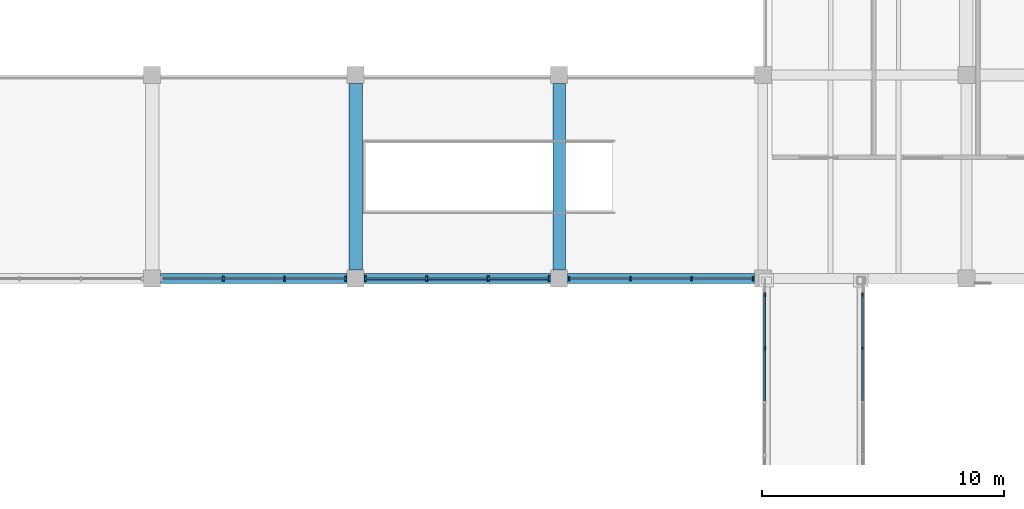
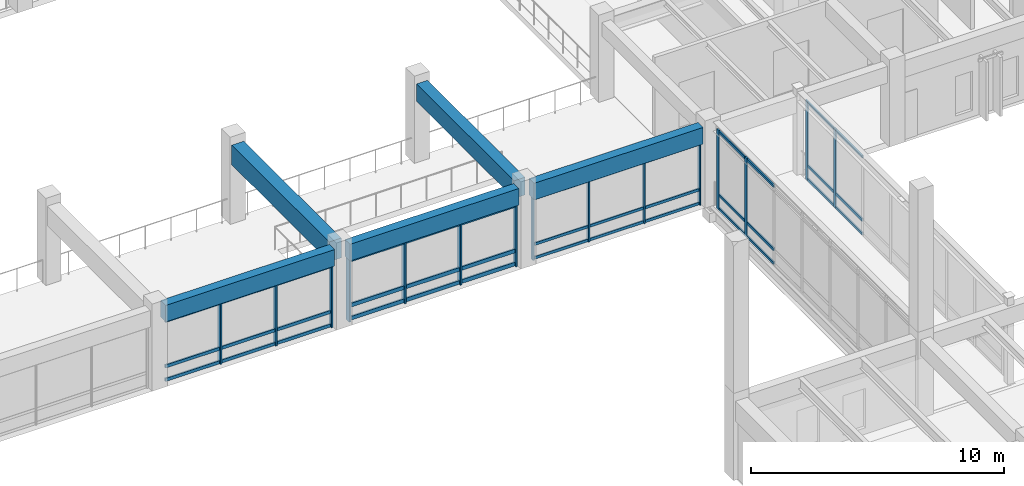
# One storey, part 58 of 132: 54 members, 5 beams, 5 elements without a shape of their own.
"""IFC4 building model written with IfcOpenShell, lengths in metres."""

from ifc_helpers import new_model, si_unit, direction, frame, origin, origin_2d, place, context, subcontext, project, spatial, rectangle, extrude, material, material_profile, profile_set, type_object, element, aggregate, save


model = new_model("IFC4")

# Units and contexts
model_context = context("Model", 3, precision=1e-05, world=origin(), true_north=direction((0.0, 1.0)))
body_context = subcontext(model_context, "Body", "Model", "MODEL_VIEW")
ifc_project = project(units=[si_unit("LENGTHUNIT", "METRE"), si_unit("AREAUNIT", "SQUARE_METRE"), si_unit("VOLUMEUNIT", "CUBIC_METRE"), si_unit("PLANEANGLEUNIT", "RADIAN"), si_unit("MASSUNIT", "GRAM", prefix="KILO")], contexts=[model_context])

# Site, building, storey
site_placement = place(None, origin())
site = spatial("IfcSite", under=ifc_project, at=site_placement, CompositionType="ELEMENT")
building_placement = place(site_placement, origin())
building = spatial("IfcBuilding", under=site, at=building_placement, Name="Cumbredor Promenade Congress Hotel", CompositionType="ELEMENT")
storey_placement = place(building_placement, frame((0.0, 0.0, 7.56005859375)))
storey = spatial("IfcBuildingStorey", under=building, at=storey_placement, Name="L02", CompositionType="ELEMENT", Elevation=7.56005859375)

# Beams
ifc_material_1 = material(Name="Concrete C40/50", Category="concrete")
ifc_material_profile_1 = material_profile(ifc_material_1, rectangle(XDim=0.5, YDim=0.85009765625, at=origin_2d()), Name="RC BEAM 500x850")
ifc_profile_set_1 = profile_set([ifc_material_profile_1], Name="Concrete C40/50")
beam_type_1 = type_object("IfcBeamType", Name="BM-RC-500x850", PredefinedType="BEAM", material=ifc_profile_set_1)
beam_1_placement = place(storey_placement, frame((142.800048828125, 84.35009765625, 3.375), z_axis=(0.0, 1.0, 0.0), x_axis=(-1.0, 0.0, 0.0)))
element("IfcBeam", 1, at=beam_1_placement, inside=storey, type_object=beam_type_1, Name="L03 Y-Grid Beam 198", PredefinedType="BEAM", context=body_context, shape_type="SweptSolid", body=[
    extrude(rectangle(XDim=0.5, YDim=0.85009765625, at=origin_2d()), origin(), (0.0, 0.0, 1.0), 7.699951171875),
])
ifc_material_profile_2 = material_profile(ifc_material_1, rectangle(XDim=0.550048828125, YDim=0.949951171875, at=origin_2d()), Name="RC BEAM 550x950")
ifc_profile_set_2 = profile_set([ifc_material_profile_2], Name="Concrete C40/50")
beam_type_2 = type_object("IfcBeamType", Name="BM-RC-550x950", PredefinedType="BEAM", material=ifc_profile_set_2)
beam_2_placement = place(storey_placement, frame((134.39990234375, 84.35009765625, 3.324951171875), z_axis=(0.0, 1.0, 0.0), x_axis=(-1.0, 0.0, 0.0)))
element("IfcBeam", 2, at=beam_2_placement, inside=storey, type_object=beam_type_2, Name="L03 Y-Grid Beam 183", PredefinedType="BEAM", context=body_context, shape_type="SweptSolid", body=[
    extrude(rectangle(XDim=0.550048828125, YDim=0.949951171875, at=origin_2d()), origin(), (0.0, 0.0, 1.0), 7.699951171875),
])

# Curtain wall, members
ifc_material_2 = material(Name="Thermally broken anodized aluminium and low-E glass", Category="aluminium")
curtain_wall_type_1 = type_object("IfcCurtainWallType", Name="Unitised Forum Curtain Wall CW-02", PredefinedType="NOTDEFINED", material=ifc_material_2)
curtain_wall_1_placement = place(storey_placement, origin())
curtain_wall_1 = element("IfcCurtainWall", 3, at=curtain_wall_1_placement, inside=storey, type_object=curtain_wall_type_1, Name="L02 Pre-Function and Breakout Meeting Forum South Curtain Wall 7", PredefinedType="NOTDEFINED")
ifc_material_3 = material(Name="Thermally broken anodized aluminium", Category="aluminium")
ifc_material_profile_3 = material_profile(ifc_material_3, rectangle(XDim=0.06494140625, YDim=0.159912109375, at=origin_2d()), Name="ALU MULLION 65x160")
ifc_profile_set_3 = profile_set([ifc_material_profile_3], Name="Thermally broken anodized aluminium")
member_type_1 = type_object("IfcMemberType", Name="Curtain Wall Mullion ML-01", PredefinedType="MULLION", material=ifc_profile_set_3)
member_1_placement = place(storey_placement, frame((143.205078125, 84.0, -0.008056640625), z_axis=(0.0, 0.0, 1.0), x_axis=(1.0, 0.0, 0.0)))
member_1 = element("IfcMember", 4, at=member_1_placement, type_object=member_type_1, Name="L02 Pre-Function and Breakout Meeting Forum South Curtain Wall 7 Mullion 1", PredefinedType="MULLION", context=body_context, shape_type="SweptSolid", body=[
    extrude(rectangle(XDim=0.06494140625, YDim=0.159912109375, at=origin_2d()), origin(), (0.0, 0.0, 1.0), 3.0009765625),
])
member_2_placement = place(storey_placement, frame((145.735107421875, 84.0, -0.008056640625), z_axis=(0.0, 0.0, 1.0), x_axis=(1.0, 0.0, 0.0)))
member_2 = element("IfcMember", 5, at=member_2_placement, type_object=member_type_1, Name="L02 Pre-Function and Breakout Meeting Forum South Curtain Wall 7 Mullion 2", PredefinedType="MULLION", context=body_context, shape_type="SweptSolid", body=[
    extrude(rectangle(XDim=0.06494140625, YDim=0.159912109375, at=origin_2d()), origin(), (0.0, 0.0, 1.0), 3.0009765625),
])
member_3_placement = place(storey_placement, frame((148.264892578125, 84.0, -0.008056640625), z_axis=(0.0, 0.0, 1.0), x_axis=(1.0, 0.0, 0.0)))
member_3 = element("IfcMember", 6, at=member_3_placement, type_object=member_type_1, Name="L02 Pre-Function and Breakout Meeting Forum South Curtain Wall 7 Mullion 3", PredefinedType="MULLION", context=body_context, shape_type="SweptSolid", body=[
    extrude(rectangle(XDim=0.06494140625, YDim=0.159912109375, at=origin_2d()), origin(), (0.0, 0.0, 1.0), 3.0009765625),
])
member_4_placement = place(storey_placement, frame((150.794921875, 84.0, -0.008056640625), z_axis=(0.0, 0.0, 1.0), x_axis=(1.0, 0.0, 0.0)))
member_4 = element("IfcMember", 7, at=member_4_placement, type_object=member_type_1, Name="L02 Pre-Function and Breakout Meeting Forum South Curtain Wall 7 Mullion 4", PredefinedType="MULLION", context=body_context, shape_type="SweptSolid", body=[
    extrude(rectangle(XDim=0.06494140625, YDim=0.159912109375, at=origin_2d()), origin(), (0.0, 0.0, 1.0), 3.0009765625),
])

curtain_wall_type_2 = type_object("IfcCurtainWallType", Name="Unitised Bridge Glazing Screen CW-05", PredefinedType="NOTDEFINED", material=ifc_material_2)
curtain_wall_2_placement = place(storey_placement, origin())
curtain_wall_2 = element("IfcCurtainWall", 8, at=curtain_wall_2_placement, inside=storey, type_object=curtain_wall_type_2, Name="L02 East Ballroom-to-Forum Glazed Bridge West Glazing Screen", PredefinedType="NOTDEFINED")
member_5_placement = place(storey_placement, frame((151.280029296875, 81.128662109375, -0.008056640625), z_axis=(0.0, 0.0, 1.0), x_axis=(1.0, 0.0, 0.0)))
member_5 = element("IfcMember", 9, at=member_5_placement, type_object=member_type_1, Name="L02 East Ballroom-to-Forum Glazed Bridge West Glazing Screen Mullion 7", PredefinedType="MULLION", context=body_context, shape_type="SweptSolid", body=[
    extrude(rectangle(XDim=0.06494140625, YDim=0.159912109375, at=origin_2d()), origin(), (0.0, 0.0, 1.0), 3.8359375),
])
member_6_placement = place(storey_placement, frame((151.280029296875, 83.340087890625, -0.008056640625), z_axis=(0.0, 0.0, 1.0), x_axis=(1.0, 0.0, 0.0)))
member_6 = element("IfcMember", 10, at=member_6_placement, type_object=member_type_1, Name="L02 East Ballroom-to-Forum Glazed Bridge West Glazing Screen Mullion 8", PredefinedType="MULLION", context=body_context, shape_type="SweptSolid", body=[
    extrude(rectangle(XDim=0.06494140625, YDim=0.159912109375, at=origin_2d()), origin(), (0.0, 0.0, 1.0), 3.8359375),
])

curtain_wall_3_placement = place(storey_placement, origin())
curtain_wall_3 = element("IfcCurtainWall", 11, at=curtain_wall_3_placement, inside=storey, type_object=curtain_wall_type_2, Name="L02 East Ballroom-to-Forum Glazed Bridge East Glazing Screen", PredefinedType="NOTDEFINED")
member_7_placement = place(storey_placement, frame((155.320068359375, 81.128662109375, -0.008056640625), z_axis=(0.0, 0.0, 1.0), x_axis=(1.0, 0.0, 0.0)))
member_7 = element("IfcMember", 12, at=member_7_placement, type_object=member_type_1, Name="L02 East Ballroom-to-Forum Glazed Bridge East Glazing Screen Mullion 7", PredefinedType="MULLION", context=body_context, shape_type="SweptSolid", body=[
    extrude(rectangle(XDim=0.06494140625, YDim=0.159912109375, at=origin_2d()), origin(), (0.0, 0.0, 1.0), 3.8359375),
])
member_8_placement = place(storey_placement, frame((155.320068359375, 83.340087890625, -0.008056640625), z_axis=(0.0, 0.0, 1.0), x_axis=(1.0, 0.0, 0.0)))
member_8 = element("IfcMember", 13, at=member_8_placement, type_object=member_type_1, Name="L02 East Ballroom-to-Forum Glazed Bridge East Glazing Screen Mullion 8", PredefinedType="MULLION", context=body_context, shape_type="SweptSolid", body=[
    extrude(rectangle(XDim=0.06494140625, YDim=0.159912109375, at=origin_2d()), origin(), (0.0, 0.0, 1.0), 3.8359375),
])

curtain_wall_4_placement = place(storey_placement, origin())
curtain_wall_4 = element("IfcCurtainWall", 14, at=curtain_wall_4_placement, inside=storey, type_object=curtain_wall_type_1, Name="L02 Pre-Function and Breakout Meeting Forum South Curtain Wall 5", PredefinedType="NOTDEFINED")
ifc_material_profile_4 = material_profile(ifc_material_3, rectangle(XDim=0.074951171875, YDim=0.199951171875, at=origin_2d()), Name="ALU MULLION 75x200")
ifc_profile_set_4 = profile_set([ifc_material_profile_4], Name="Thermally broken anodized aluminium")
member_type_2 = type_object("IfcMemberType", Name="Curtain Wall Mullion ML-02", PredefinedType="MULLION", material=ifc_profile_set_4)
member_9_placement = place(storey_placement, frame((128.93505859375, 84.0, -0.008056640625), z_axis=(0.0, 0.0, 1.0), x_axis=(1.0, 0.0, 0.0)))
member_9 = element("IfcMember", 15, at=member_9_placement, type_object=member_type_2, Name="L02 Pre-Function and Breakout Meeting Forum South Curtain Wall 5 Mullion 2", PredefinedType="MULLION", context=body_context, shape_type="SweptSolid", body=[
    extrude(rectangle(XDim=0.074951171875, YDim=0.199951171875, at=origin_2d()), origin(), (0.0, 0.0, 1.0), 3.0009765625),
])
member_10_placement = place(storey_placement, frame((131.465087890625, 84.0, -0.008056640625), z_axis=(0.0, 0.0, 1.0), x_axis=(1.0, 0.0, 0.0)))
member_10 = element("IfcMember", 16, at=member_10_placement, type_object=member_type_2, Name="L02 Pre-Function and Breakout Meeting Forum South Curtain Wall 5 Mullion 3", PredefinedType="MULLION", context=body_context, shape_type="SweptSolid", body=[
    extrude(rectangle(XDim=0.074951171875, YDim=0.199951171875, at=origin_2d()), origin(), (0.0, 0.0, 1.0), 3.0009765625),
])
member_11_placement = place(storey_placement, frame((133.9951171875, 84.0, -0.008056640625), z_axis=(0.0, 0.0, 1.0), x_axis=(1.0, 0.0, 0.0)))
member_11 = element("IfcMember", 17, at=member_11_placement, type_object=member_type_2, Name="L02 Pre-Function and Breakout Meeting Forum South Curtain Wall 5 Mullion 4", PredefinedType="MULLION", context=body_context, shape_type="SweptSolid", body=[
    extrude(rectangle(XDim=0.074951171875, YDim=0.199951171875, at=origin_2d()), origin(), (0.0, 0.0, 1.0), 3.0009765625),
])

curtain_wall_5_placement = place(storey_placement, origin())
curtain_wall_5 = element("IfcCurtainWall", 18, at=curtain_wall_5_placement, inside=storey, type_object=curtain_wall_type_1, Name="L02 Pre-Function and Breakout Meeting Forum South Curtain Wall 6", PredefinedType="NOTDEFINED")
ifc_material_profile_5 = material_profile(ifc_material_3, rectangle(XDim=0.080078125, YDim=0.239990234375, at=origin_2d()), Name="ALU MULLION 80x240")
ifc_profile_set_5 = profile_set([ifc_material_profile_5], Name="Thermally broken anodized aluminium")
member_type_3 = type_object("IfcMemberType", Name="Curtain Wall Mullion ML-03", PredefinedType="MULLION", material=ifc_profile_set_5)
member_12_placement = place(storey_placement, frame((134.804931640625, 84.0, -0.008056640625), z_axis=(0.0, 0.0, 1.0), x_axis=(1.0, 0.0, 0.0)))
member_12 = element("IfcMember", 19, at=member_12_placement, type_object=member_type_3, Name="L02 Pre-Function and Breakout Meeting Forum South Curtain Wall 6 Mullion 1", PredefinedType="MULLION", context=body_context, shape_type="SweptSolid", body=[
    extrude(rectangle(XDim=0.080078125, YDim=0.239990234375, at=origin_2d()), origin(), (0.0, 0.0, 1.0), 3.0009765625),
])
member_13_placement = place(storey_placement, frame((137.3349609375, 84.0, -0.008056640625), z_axis=(0.0, 0.0, 1.0), x_axis=(1.0, 0.0, 0.0)))
member_13 = element("IfcMember", 20, at=member_13_placement, type_object=member_type_3, Name="L02 Pre-Function and Breakout Meeting Forum South Curtain Wall 6 Mullion 2", PredefinedType="MULLION", context=body_context, shape_type="SweptSolid", body=[
    extrude(rectangle(XDim=0.080078125, YDim=0.239990234375, at=origin_2d()), origin(), (0.0, 0.0, 1.0), 3.0009765625),
])
member_14_placement = place(storey_placement, frame((139.864990234375, 84.0, -0.008056640625), z_axis=(0.0, 0.0, 1.0), x_axis=(1.0, 0.0, 0.0)))
member_14 = element("IfcMember", 21, at=member_14_placement, type_object=member_type_3, Name="L02 Pre-Function and Breakout Meeting Forum South Curtain Wall 6 Mullion 3", PredefinedType="MULLION", context=body_context, shape_type="SweptSolid", body=[
    extrude(rectangle(XDim=0.080078125, YDim=0.239990234375, at=origin_2d()), origin(), (0.0, 0.0, 1.0), 3.0009765625),
])
member_15_placement = place(storey_placement, frame((142.39501953125, 84.0, -0.008056640625), z_axis=(0.0, 0.0, 1.0), x_axis=(1.0, 0.0, 0.0)))
member_15 = element("IfcMember", 22, at=member_15_placement, type_object=member_type_3, Name="L02 Pre-Function and Breakout Meeting Forum South Curtain Wall 6 Mullion 4", PredefinedType="MULLION", context=body_context, shape_type="SweptSolid", body=[
    extrude(rectangle(XDim=0.080078125, YDim=0.239990234375, at=origin_2d()), origin(), (0.0, 0.0, 1.0), 3.0009765625),
])

# Member
ifc_material_profile_6 = material_profile(ifc_material_3, rectangle(XDim=0.06494140625, YDim=0.1298828125, at=origin_2d()), Name="ALU TRANSOM 65x130")
ifc_profile_set_6 = profile_set([ifc_material_profile_6], Name="Thermally broken anodized aluminium")
member_type_4 = type_object("IfcMemberType", Name="Curtain Wall Transom TR-01", PredefinedType="USERDEFINED", material=ifc_profile_set_6)
member_16_placement = place(storey_placement, frame((143.237548828125, 84.0, 0.06005859375), z_axis=(1.0, 0.0, 0.0), x_axis=(0.0, 1.0, 0.0)))
member_16 = element("IfcMember", 23, at=member_16_placement, type_object=member_type_4, Name="L02 Pre-Function and Breakout Meeting Forum South Curtain Wall 7 Transom 1.1", ObjectType="TRANSOM", PredefinedType="USERDEFINED", context=body_context, shape_type="SweptSolid", body=[
    extrude(rectangle(XDim=0.06494140625, YDim=0.1298828125, at=origin_2d()), origin(), (0.0, 0.0, 1.0), 2.46484375),
])

member_17_placement = place(storey_placement, frame((143.237548828125, 84.0, 0.719970703125), z_axis=(1.0, 0.0, 0.0), x_axis=(0.0, 1.0, 0.0)))
member_17 = element("IfcMember", 24, at=member_17_placement, type_object=member_type_4, Name="L02 Pre-Function and Breakout Meeting Forum South Curtain Wall 7 Transom 1.2", ObjectType="TRANSOM", PredefinedType="USERDEFINED", context=body_context, shape_type="SweptSolid", body=[
    extrude(rectangle(XDim=0.06494140625, YDim=0.1298828125, at=origin_2d()), origin(), (0.0, 0.0, 1.0), 2.46484375),
])

member_18_placement = place(storey_placement, frame((143.237548828125, 84.0, 2.919921875), z_axis=(1.0, 0.0, 0.0), x_axis=(0.0, 1.0, 0.0)))
member_18 = element("IfcMember", 25, at=member_18_placement, type_object=member_type_4, Name="L02 Pre-Function and Breakout Meeting Forum South Curtain Wall 7 Transom 1.3", ObjectType="TRANSOM", PredefinedType="USERDEFINED", context=body_context, shape_type="SweptSolid", body=[
    extrude(rectangle(XDim=0.06494140625, YDim=0.1298828125, at=origin_2d()), origin(), (0.0, 0.0, 1.0), 2.46484375),
])

member_19_placement = place(storey_placement, frame((145.767578125, 84.0, 0.06005859375), z_axis=(1.0, 0.0, 0.0), x_axis=(0.0, 1.0, 0.0)))
member_19 = element("IfcMember", 26, at=member_19_placement, type_object=member_type_4, Name="L02 Pre-Function and Breakout Meeting Forum South Curtain Wall 7 Transom 2.1", ObjectType="TRANSOM", PredefinedType="USERDEFINED", context=body_context, shape_type="SweptSolid", body=[
    extrude(rectangle(XDim=0.06494140625, YDim=0.1298828125, at=origin_2d()), origin(), (0.0, 0.0, 1.0), 2.46484375),
])

member_20_placement = place(storey_placement, frame((145.767578125, 84.0, 0.719970703125), z_axis=(1.0, 0.0, 0.0), x_axis=(0.0, 1.0, 0.0)))
member_20 = element("IfcMember", 27, at=member_20_placement, type_object=member_type_4, Name="L02 Pre-Function and Breakout Meeting Forum South Curtain Wall 7 Transom 2.2", ObjectType="TRANSOM", PredefinedType="USERDEFINED", context=body_context, shape_type="SweptSolid", body=[
    extrude(rectangle(XDim=0.06494140625, YDim=0.1298828125, at=origin_2d()), origin(), (0.0, 0.0, 1.0), 2.46484375),
])

member_21_placement = place(storey_placement, frame((145.767578125, 84.0, 2.919921875), z_axis=(1.0, 0.0, 0.0), x_axis=(0.0, 1.0, 0.0)))
member_21 = element("IfcMember", 28, at=member_21_placement, type_object=member_type_4, Name="L02 Pre-Function and Breakout Meeting Forum South Curtain Wall 7 Transom 2.3", ObjectType="TRANSOM", PredefinedType="USERDEFINED", context=body_context, shape_type="SweptSolid", body=[
    extrude(rectangle(XDim=0.06494140625, YDim=0.1298828125, at=origin_2d()), origin(), (0.0, 0.0, 1.0), 2.46484375),
])

member_22_placement = place(storey_placement, frame((148.297607421875, 84.0, 0.06005859375), z_axis=(1.0, 0.0, 0.0), x_axis=(0.0, 1.0, 0.0)))
member_22 = element("IfcMember", 29, at=member_22_placement, type_object=member_type_4, Name="L02 Pre-Function and Breakout Meeting Forum South Curtain Wall 7 Transom 3.1", ObjectType="TRANSOM", PredefinedType="USERDEFINED", context=body_context, shape_type="SweptSolid", body=[
    extrude(rectangle(XDim=0.06494140625, YDim=0.1298828125, at=origin_2d()), origin(), (0.0, 0.0, 1.0), 2.46484375),
])

member_23_placement = place(storey_placement, frame((148.297607421875, 84.0, 0.719970703125), z_axis=(1.0, 0.0, 0.0), x_axis=(0.0, 1.0, 0.0)))
member_23 = element("IfcMember", 30, at=member_23_placement, type_object=member_type_4, Name="L02 Pre-Function and Breakout Meeting Forum South Curtain Wall 7 Transom 3.2", ObjectType="TRANSOM", PredefinedType="USERDEFINED", context=body_context, shape_type="SweptSolid", body=[
    extrude(rectangle(XDim=0.06494140625, YDim=0.1298828125, at=origin_2d()), origin(), (0.0, 0.0, 1.0), 2.46484375),
])

member_24_placement = place(storey_placement, frame((148.297607421875, 84.0, 2.919921875), z_axis=(1.0, 0.0, 0.0), x_axis=(0.0, 1.0, 0.0)))
member_24 = element("IfcMember", 31, at=member_24_placement, type_object=member_type_4, Name="L02 Pre-Function and Breakout Meeting Forum South Curtain Wall 7 Transom 3.3", ObjectType="TRANSOM", PredefinedType="USERDEFINED", context=body_context, shape_type="SweptSolid", body=[
    extrude(rectangle(XDim=0.06494140625, YDim=0.1298828125, at=origin_2d()), origin(), (0.0, 0.0, 1.0), 2.46484375),
])

aggregate(curtain_wall_1, [member_1, member_2, member_3, member_4, member_16, member_17, member_18, member_19, member_20, member_21, member_22, member_23, member_24])

member_25_placement = place(storey_placement, frame((151.280029296875, 78.94970703125, 0.06005859375), z_axis=(0.0, 1.0, 0.0), x_axis=(-1.0, 0.0, 0.0)))
member_25 = element("IfcMember", 32, at=member_25_placement, type_object=member_type_4, Name="L02 East Ballroom-to-Forum Glazed Bridge West Glazing Screen Transom 6.1", ObjectType="TRANSOM", PredefinedType="USERDEFINED", context=body_context, shape_type="SweptSolid", body=[
    extrude(rectangle(XDim=0.06494140625, YDim=0.1298828125, at=origin_2d()), origin(), (0.0, 0.0, 1.0), 2.146484375),
])

member_26_placement = place(storey_placement, frame((151.280029296875, 78.94970703125, 0.719970703125), z_axis=(0.0, 1.0, 0.0), x_axis=(-1.0, 0.0, 0.0)))
member_26 = element("IfcMember", 33, at=member_26_placement, type_object=member_type_4, Name="L02 East Ballroom-to-Forum Glazed Bridge West Glazing Screen Transom 6.2", ObjectType="TRANSOM", PredefinedType="USERDEFINED", context=body_context, shape_type="SweptSolid", body=[
    extrude(rectangle(XDim=0.06494140625, YDim=0.1298828125, at=origin_2d()), origin(), (0.0, 0.0, 1.0), 2.146484375),
])

member_27_placement = place(storey_placement, frame((151.280029296875, 78.94970703125, 3.760009765625), z_axis=(0.0, 1.0, 0.0), x_axis=(-1.0, 0.0, 0.0)))
member_27 = element("IfcMember", 34, at=member_27_placement, type_object=member_type_4, Name="L02 East Ballroom-to-Forum Glazed Bridge West Glazing Screen Transom 6.3", ObjectType="TRANSOM", PredefinedType="USERDEFINED", context=body_context, shape_type="SweptSolid", body=[
    extrude(rectangle(XDim=0.06494140625, YDim=0.1298828125, at=origin_2d()), origin(), (0.0, 0.0, 1.0), 2.146484375),
])

member_28_placement = place(storey_placement, frame((151.280029296875, 81.1611328125, 0.06005859375), z_axis=(0.0, 1.0, 0.0), x_axis=(-1.0, 0.0, 0.0)))
member_28 = element("IfcMember", 35, at=member_28_placement, type_object=member_type_4, Name="L02 East Ballroom-to-Forum Glazed Bridge West Glazing Screen Transom 7.1", ObjectType="TRANSOM", PredefinedType="USERDEFINED", context=body_context, shape_type="SweptSolid", body=[
    extrude(rectangle(XDim=0.06494140625, YDim=0.1298828125, at=origin_2d()), origin(), (0.0, 0.0, 1.0), 2.146484375),
])

member_29_placement = place(storey_placement, frame((151.280029296875, 81.1611328125, 0.719970703125), z_axis=(0.0, 1.0, 0.0), x_axis=(-1.0, 0.0, 0.0)))
member_29 = element("IfcMember", 36, at=member_29_placement, type_object=member_type_4, Name="L02 East Ballroom-to-Forum Glazed Bridge West Glazing Screen Transom 7.2", ObjectType="TRANSOM", PredefinedType="USERDEFINED", context=body_context, shape_type="SweptSolid", body=[
    extrude(rectangle(XDim=0.06494140625, YDim=0.1298828125, at=origin_2d()), origin(), (0.0, 0.0, 1.0), 2.146484375),
])

member_30_placement = place(storey_placement, frame((151.280029296875, 81.1611328125, 3.760009765625), z_axis=(0.0, 1.0, 0.0), x_axis=(-1.0, 0.0, 0.0)))
member_30 = element("IfcMember", 37, at=member_30_placement, type_object=member_type_4, Name="L02 East Ballroom-to-Forum Glazed Bridge West Glazing Screen Transom 7.3", ObjectType="TRANSOM", PredefinedType="USERDEFINED", context=body_context, shape_type="SweptSolid", body=[
    extrude(rectangle(XDim=0.06494140625, YDim=0.1298828125, at=origin_2d()), origin(), (0.0, 0.0, 1.0), 2.146484375),
])

aggregate(curtain_wall_2, [member_5, member_6, member_25, member_26, member_27, member_28, member_29, member_30])

member_31_placement = place(storey_placement, frame((155.320068359375, 78.94970703125, 0.06005859375), z_axis=(0.0, 1.0, 0.0), x_axis=(-1.0, 0.0, 0.0)))
member_31 = element("IfcMember", 38, at=member_31_placement, type_object=member_type_4, Name="L02 East Ballroom-to-Forum Glazed Bridge East Glazing Screen Transom 6.1", ObjectType="TRANSOM", PredefinedType="USERDEFINED", context=body_context, shape_type="SweptSolid", body=[
    extrude(rectangle(XDim=0.06494140625, YDim=0.1298828125, at=origin_2d()), origin(), (0.0, 0.0, 1.0), 2.146484375),
])

member_32_placement = place(storey_placement, frame((155.320068359375, 78.94970703125, 0.719970703125), z_axis=(0.0, 1.0, 0.0), x_axis=(-1.0, 0.0, 0.0)))
member_32 = element("IfcMember", 39, at=member_32_placement, type_object=member_type_4, Name="L02 East Ballroom-to-Forum Glazed Bridge East Glazing Screen Transom 6.2", ObjectType="TRANSOM", PredefinedType="USERDEFINED", context=body_context, shape_type="SweptSolid", body=[
    extrude(rectangle(XDim=0.06494140625, YDim=0.1298828125, at=origin_2d()), origin(), (0.0, 0.0, 1.0), 2.146484375),
])

member_33_placement = place(storey_placement, frame((155.320068359375, 78.94970703125, 3.760009765625), z_axis=(0.0, 1.0, 0.0), x_axis=(-1.0, 0.0, 0.0)))
member_33 = element("IfcMember", 40, at=member_33_placement, type_object=member_type_4, Name="L02 East Ballroom-to-Forum Glazed Bridge East Glazing Screen Transom 6.3", ObjectType="TRANSOM", PredefinedType="USERDEFINED", context=body_context, shape_type="SweptSolid", body=[
    extrude(rectangle(XDim=0.06494140625, YDim=0.1298828125, at=origin_2d()), origin(), (0.0, 0.0, 1.0), 2.146484375),
])

member_34_placement = place(storey_placement, frame((155.320068359375, 81.1611328125, 0.06005859375), z_axis=(0.0, 1.0, 0.0), x_axis=(-1.0, 0.0, 0.0)))
member_34 = element("IfcMember", 41, at=member_34_placement, type_object=member_type_4, Name="L02 East Ballroom-to-Forum Glazed Bridge East Glazing Screen Transom 7.1", ObjectType="TRANSOM", PredefinedType="USERDEFINED", context=body_context, shape_type="SweptSolid", body=[
    extrude(rectangle(XDim=0.06494140625, YDim=0.1298828125, at=origin_2d()), origin(), (0.0, 0.0, 1.0), 2.146484375),
])

member_35_placement = place(storey_placement, frame((155.320068359375, 81.1611328125, 0.719970703125), z_axis=(0.0, 1.0, 0.0), x_axis=(-1.0, 0.0, 0.0)))
member_35 = element("IfcMember", 42, at=member_35_placement, type_object=member_type_4, Name="L02 East Ballroom-to-Forum Glazed Bridge East Glazing Screen Transom 7.2", ObjectType="TRANSOM", PredefinedType="USERDEFINED", context=body_context, shape_type="SweptSolid", body=[
    extrude(rectangle(XDim=0.06494140625, YDim=0.1298828125, at=origin_2d()), origin(), (0.0, 0.0, 1.0), 2.146484375),
])

member_36_placement = place(storey_placement, frame((155.320068359375, 81.1611328125, 3.760009765625), z_axis=(0.0, 1.0, 0.0), x_axis=(-1.0, 0.0, 0.0)))
member_36 = element("IfcMember", 43, at=member_36_placement, type_object=member_type_4, Name="L02 East Ballroom-to-Forum Glazed Bridge East Glazing Screen Transom 7.3", ObjectType="TRANSOM", PredefinedType="USERDEFINED", context=body_context, shape_type="SweptSolid", body=[
    extrude(rectangle(XDim=0.06494140625, YDim=0.1298828125, at=origin_2d()), origin(), (0.0, 0.0, 1.0), 2.146484375),
])

aggregate(curtain_wall_3, [member_7, member_8, member_31, member_32, member_33, member_34, member_35, member_36])

ifc_material_profile_7 = material_profile(ifc_material_3, rectangle(XDim=0.074951171875, YDim=0.14990234375, at=origin_2d()), Name="ALU TRANSOM 75x150")
ifc_profile_set_7 = profile_set([ifc_material_profile_7], Name="Thermally broken anodized aluminium")
member_type_5 = type_object("IfcMemberType", Name="Curtain Wall Transom TR-02", PredefinedType="USERDEFINED", material=ifc_profile_set_7)
member_37_placement = place(storey_placement, frame((126.4423828125, 84.0, 0.06982421875), z_axis=(1.0, 0.0, 0.0), x_axis=(0.0, 1.0, 0.0)))
member_37 = element("IfcMember", 44, at=member_37_placement, type_object=member_type_5, Name="L02 Pre-Function and Breakout Meeting Forum South Curtain Wall 5 Transom 1.1", ObjectType="TRANSOM", PredefinedType="USERDEFINED", context=body_context, shape_type="SweptSolid", body=[
    extrude(rectangle(XDim=0.074951171875, YDim=0.14990234375, at=origin_2d()), origin(), (0.0, 0.0, 1.0), 2.455078125),
])

member_38_placement = place(storey_placement, frame((126.4423828125, 84.0, 0.719970703125), z_axis=(1.0, 0.0, 0.0), x_axis=(0.0, 1.0, 0.0)))
member_38 = element("IfcMember", 45, at=member_38_placement, type_object=member_type_5, Name="L02 Pre-Function and Breakout Meeting Forum South Curtain Wall 5 Transom 1.2", ObjectType="TRANSOM", PredefinedType="USERDEFINED", context=body_context, shape_type="SweptSolid", body=[
    extrude(rectangle(XDim=0.074951171875, YDim=0.14990234375, at=origin_2d()), origin(), (0.0, 0.0, 1.0), 2.455078125),
])

member_39_placement = place(storey_placement, frame((126.4423828125, 84.0, 2.909912109375), z_axis=(1.0, 0.0, 0.0), x_axis=(0.0, 1.0, 0.0)))
member_39 = element("IfcMember", 46, at=member_39_placement, type_object=member_type_5, Name="L02 Pre-Function and Breakout Meeting Forum South Curtain Wall 5 Transom 1.3", ObjectType="TRANSOM", PredefinedType="USERDEFINED", context=body_context, shape_type="SweptSolid", body=[
    extrude(rectangle(XDim=0.074951171875, YDim=0.14990234375, at=origin_2d()), origin(), (0.0, 0.0, 1.0), 2.455078125),
])

member_40_placement = place(storey_placement, frame((128.972412109375, 84.0, 0.06982421875), z_axis=(1.0, 0.0, 0.0), x_axis=(0.0, 1.0, 0.0)))
member_40 = element("IfcMember", 47, at=member_40_placement, type_object=member_type_5, Name="L02 Pre-Function and Breakout Meeting Forum South Curtain Wall 5 Transom 2.1", ObjectType="TRANSOM", PredefinedType="USERDEFINED", context=body_context, shape_type="SweptSolid", body=[
    extrude(rectangle(XDim=0.074951171875, YDim=0.14990234375, at=origin_2d()), origin(), (0.0, 0.0, 1.0), 2.455078125),
])

member_41_placement = place(storey_placement, frame((128.972412109375, 84.0, 0.719970703125), z_axis=(1.0, 0.0, 0.0), x_axis=(0.0, 1.0, 0.0)))
member_41 = element("IfcMember", 48, at=member_41_placement, type_object=member_type_5, Name="L02 Pre-Function and Breakout Meeting Forum South Curtain Wall 5 Transom 2.2", ObjectType="TRANSOM", PredefinedType="USERDEFINED", context=body_context, shape_type="SweptSolid", body=[
    extrude(rectangle(XDim=0.074951171875, YDim=0.14990234375, at=origin_2d()), origin(), (0.0, 0.0, 1.0), 2.455078125),
])

member_42_placement = place(storey_placement, frame((128.972412109375, 84.0, 2.909912109375), z_axis=(1.0, 0.0, 0.0), x_axis=(0.0, 1.0, 0.0)))
member_42 = element("IfcMember", 49, at=member_42_placement, type_object=member_type_5, Name="L02 Pre-Function and Breakout Meeting Forum South Curtain Wall 5 Transom 2.3", ObjectType="TRANSOM", PredefinedType="USERDEFINED", context=body_context, shape_type="SweptSolid", body=[
    extrude(rectangle(XDim=0.074951171875, YDim=0.14990234375, at=origin_2d()), origin(), (0.0, 0.0, 1.0), 2.455078125),
])

member_43_placement = place(storey_placement, frame((131.50244140625, 84.0, 0.06982421875), z_axis=(1.0, 0.0, 0.0), x_axis=(0.0, 1.0, 0.0)))
member_43 = element("IfcMember", 50, at=member_43_placement, type_object=member_type_5, Name="L02 Pre-Function and Breakout Meeting Forum South Curtain Wall 5 Transom 3.1", ObjectType="TRANSOM", PredefinedType="USERDEFINED", context=body_context, shape_type="SweptSolid", body=[
    extrude(rectangle(XDim=0.074951171875, YDim=0.14990234375, at=origin_2d()), origin(), (0.0, 0.0, 1.0), 2.455078125),
])

member_44_placement = place(storey_placement, frame((131.50244140625, 84.0, 0.719970703125), z_axis=(1.0, 0.0, 0.0), x_axis=(0.0, 1.0, 0.0)))
member_44 = element("IfcMember", 51, at=member_44_placement, type_object=member_type_5, Name="L02 Pre-Function and Breakout Meeting Forum South Curtain Wall 5 Transom 3.2", ObjectType="TRANSOM", PredefinedType="USERDEFINED", context=body_context, shape_type="SweptSolid", body=[
    extrude(rectangle(XDim=0.074951171875, YDim=0.14990234375, at=origin_2d()), origin(), (0.0, 0.0, 1.0), 2.455078125),
])

member_45_placement = place(storey_placement, frame((131.50244140625, 84.0, 2.909912109375), z_axis=(1.0, 0.0, 0.0), x_axis=(0.0, 1.0, 0.0)))
member_45 = element("IfcMember", 52, at=member_45_placement, type_object=member_type_5, Name="L02 Pre-Function and Breakout Meeting Forum South Curtain Wall 5 Transom 3.3", ObjectType="TRANSOM", PredefinedType="USERDEFINED", context=body_context, shape_type="SweptSolid", body=[
    extrude(rectangle(XDim=0.074951171875, YDim=0.14990234375, at=origin_2d()), origin(), (0.0, 0.0, 1.0), 2.455078125),
])

aggregate(curtain_wall_4, [member_9, member_10, member_11, member_37, member_38, member_39, member_40, member_41, member_42, member_43, member_44, member_45])

ifc_material_profile_8 = material_profile(ifc_material_3, rectangle(XDim=0.080078125, YDim=0.179931640625, at=origin_2d()), Name="ALU TRANSOM 80x180")
ifc_profile_set_8 = profile_set([ifc_material_profile_8], Name="Thermally broken anodized aluminium")
member_type_6 = type_object("IfcMemberType", Name="Curtain Wall Transom TR-03", PredefinedType="USERDEFINED", material=ifc_profile_set_8)
member_46_placement = place(storey_placement, frame((134.844970703125, 84.0, 0.08984375), z_axis=(1.0, 0.0, 0.0), x_axis=(0.0, 1.0, 0.0)))
member_46 = element("IfcMember", 53, at=member_46_placement, type_object=member_type_6, Name="L02 Pre-Function and Breakout Meeting Forum South Curtain Wall 6 Transom 1.1", ObjectType="TRANSOM", PredefinedType="USERDEFINED", context=body_context, shape_type="SweptSolid", body=[
    extrude(rectangle(XDim=0.080078125, YDim=0.179931640625, at=origin_2d()), origin(), (0.0, 0.0, 1.0), 2.449951171875),
])

member_47_placement = place(storey_placement, frame((134.844970703125, 84.0, 0.719970703125), z_axis=(1.0, 0.0, 0.0), x_axis=(0.0, 1.0, 0.0)))
member_47 = element("IfcMember", 54, at=member_47_placement, type_object=member_type_6, Name="L02 Pre-Function and Breakout Meeting Forum South Curtain Wall 6 Transom 1.2", ObjectType="TRANSOM", PredefinedType="USERDEFINED", context=body_context, shape_type="SweptSolid", body=[
    extrude(rectangle(XDim=0.080078125, YDim=0.179931640625, at=origin_2d()), origin(), (0.0, 0.0, 1.0), 2.449951171875),
])

member_48_placement = place(storey_placement, frame((134.844970703125, 84.0, 2.89990234375), z_axis=(1.0, 0.0, 0.0), x_axis=(0.0, 1.0, 0.0)))
member_48 = element("IfcMember", 55, at=member_48_placement, type_object=member_type_6, Name="L02 Pre-Function and Breakout Meeting Forum South Curtain Wall 6 Transom 1.3", ObjectType="TRANSOM", PredefinedType="USERDEFINED", context=body_context, shape_type="SweptSolid", body=[
    extrude(rectangle(XDim=0.080078125, YDim=0.179931640625, at=origin_2d()), origin(), (0.0, 0.0, 1.0), 2.449951171875),
])

member_49_placement = place(storey_placement, frame((137.375, 84.0, 0.08984375), z_axis=(1.0, 0.0, 0.0), x_axis=(0.0, 1.0, 0.0)))
member_49 = element("IfcMember", 56, at=member_49_placement, type_object=member_type_6, Name="L02 Pre-Function and Breakout Meeting Forum South Curtain Wall 6 Transom 2.1", ObjectType="TRANSOM", PredefinedType="USERDEFINED", context=body_context, shape_type="SweptSolid", body=[
    extrude(rectangle(XDim=0.080078125, YDim=0.179931640625, at=origin_2d()), origin(), (0.0, 0.0, 1.0), 2.449951171875),
])

member_50_placement = place(storey_placement, frame((137.375, 84.0, 0.719970703125), z_axis=(1.0, 0.0, 0.0), x_axis=(0.0, 1.0, 0.0)))
member_50 = element("IfcMember", 57, at=member_50_placement, type_object=member_type_6, Name="L02 Pre-Function and Breakout Meeting Forum South Curtain Wall 6 Transom 2.2", ObjectType="TRANSOM", PredefinedType="USERDEFINED", context=body_context, shape_type="SweptSolid", body=[
    extrude(rectangle(XDim=0.080078125, YDim=0.179931640625, at=origin_2d()), origin(), (0.0, 0.0, 1.0), 2.449951171875),
])

member_51_placement = place(storey_placement, frame((137.375, 84.0, 2.89990234375), z_axis=(1.0, 0.0, 0.0), x_axis=(0.0, 1.0, 0.0)))
member_51 = element("IfcMember", 58, at=member_51_placement, type_object=member_type_6, Name="L02 Pre-Function and Breakout Meeting Forum South Curtain Wall 6 Transom 2.3", ObjectType="TRANSOM", PredefinedType="USERDEFINED", context=body_context, shape_type="SweptSolid", body=[
    extrude(rectangle(XDim=0.080078125, YDim=0.179931640625, at=origin_2d()), origin(), (0.0, 0.0, 1.0), 2.449951171875),
])

member_52_placement = place(storey_placement, frame((139.905029296875, 84.0, 0.08984375), z_axis=(1.0, 0.0, 0.0), x_axis=(0.0, 1.0, 0.0)))
member_52 = element("IfcMember", 59, at=member_52_placement, type_object=member_type_6, Name="L02 Pre-Function and Breakout Meeting Forum South Curtain Wall 6 Transom 3.1", ObjectType="TRANSOM", PredefinedType="USERDEFINED", context=body_context, shape_type="SweptSolid", body=[
    extrude(rectangle(XDim=0.080078125, YDim=0.179931640625, at=origin_2d()), origin(), (0.0, 0.0, 1.0), 2.449951171875),
])

member_53_placement = place(storey_placement, frame((139.905029296875, 84.0, 0.719970703125), z_axis=(1.0, 0.0, 0.0), x_axis=(0.0, 1.0, 0.0)))
member_53 = element("IfcMember", 60, at=member_53_placement, type_object=member_type_6, Name="L02 Pre-Function and Breakout Meeting Forum South Curtain Wall 6 Transom 3.2", ObjectType="TRANSOM", PredefinedType="USERDEFINED", context=body_context, shape_type="SweptSolid", body=[
    extrude(rectangle(XDim=0.080078125, YDim=0.179931640625, at=origin_2d()), origin(), (0.0, 0.0, 1.0), 2.449951171875),
])

member_54_placement = place(storey_placement, frame((139.905029296875, 84.0, 2.89990234375), z_axis=(1.0, 0.0, 0.0), x_axis=(0.0, 1.0, 0.0)))
member_54 = element("IfcMember", 61, at=member_54_placement, type_object=member_type_6, Name="L02 Pre-Function and Breakout Meeting Forum South Curtain Wall 6 Transom 3.3", ObjectType="TRANSOM", PredefinedType="USERDEFINED", context=body_context, shape_type="SweptSolid", body=[
    extrude(rectangle(XDim=0.080078125, YDim=0.179931640625, at=origin_2d()), origin(), (0.0, 0.0, 1.0), 2.449951171875),
])

aggregate(curtain_wall_5, [member_12, member_13, member_14, member_15, member_46, member_47, member_48, member_49, member_50, member_51, member_52, member_53, member_54])

# Beams
ifc_material_profile_9 = material_profile(ifc_material_1, rectangle(XDim=0.39990234375, YDim=0.800048828125, at=origin_2d()), Name="RC SPANDREL 400x800")
ifc_profile_set_9 = profile_set([ifc_material_profile_9], Name="Concrete C40/50")
beam_type_3 = type_object("IfcBeamType", Name="SP-RC-400x800", PredefinedType="SPANDREL", material=ifc_profile_set_9)
for number, where, z_axis, x_axis, name in (
    (62, (126.35009765625, 84.0, 3.39990234375), (1.0, 0.0, 0.0), (0.0, 1.0, 0.0), "L03 X-Grid Beam 178"),
    (63, (134.75, 84.0, 3.39990234375), (1.0, 0.0, 0.0), (0.0, 1.0, 0.0), "L03 X-Grid Beam 182"),
):
    element("IfcBeam", number, at=place(storey_placement, frame(where, z_axis=z_axis, x_axis=x_axis)), inside=storey, type_object=beam_type_3, Name=name, PredefinedType="SPANDREL", context=body_context, shape_type="SweptSolid", body=[
        extrude(rectangle(XDim=0.39990234375, YDim=0.800048828125, at=origin_2d()), origin(), (0.0, 0.0, 1.0), 7.699951171875),
    ])
beam_3_placement = place(storey_placement, frame((143.14990234375, 84.0, 3.39990234375), z_axis=(1.0, 0.0, 0.0), x_axis=(0.0, 1.0, 0.0)))
element("IfcBeam", 64, at=beam_3_placement, inside=storey, type_object=beam_type_3, Name="L03 X-Grid Beam 197", PredefinedType="SPANDREL", context=body_context, shape_type="SweptSolid", body=[
    extrude(rectangle(XDim=0.39990234375, YDim=0.800048828125, at=origin_2d()), origin(), (0.0, 0.0, 1.0), 7.7001953125),
])

save(model, "model.ifc")
